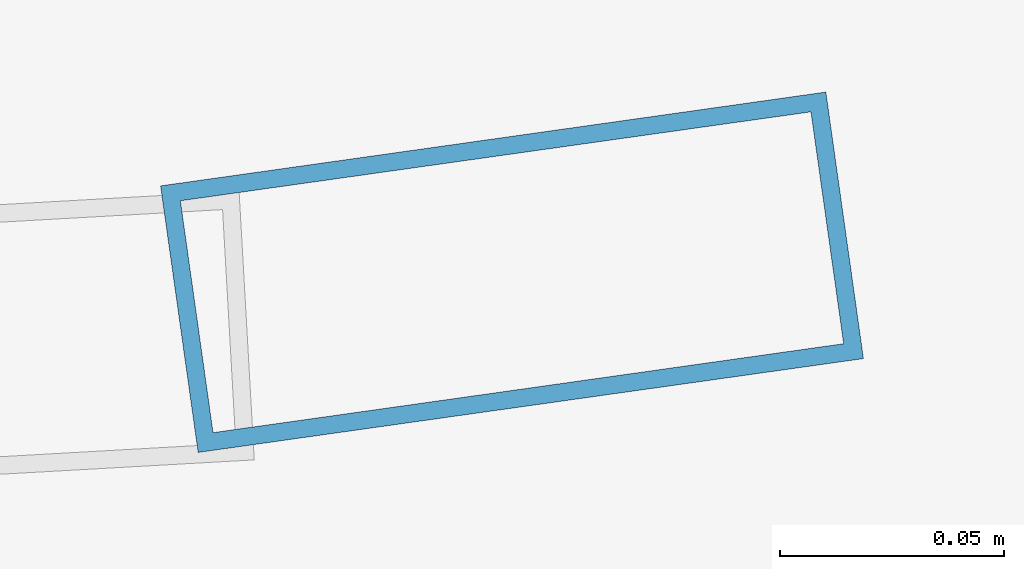
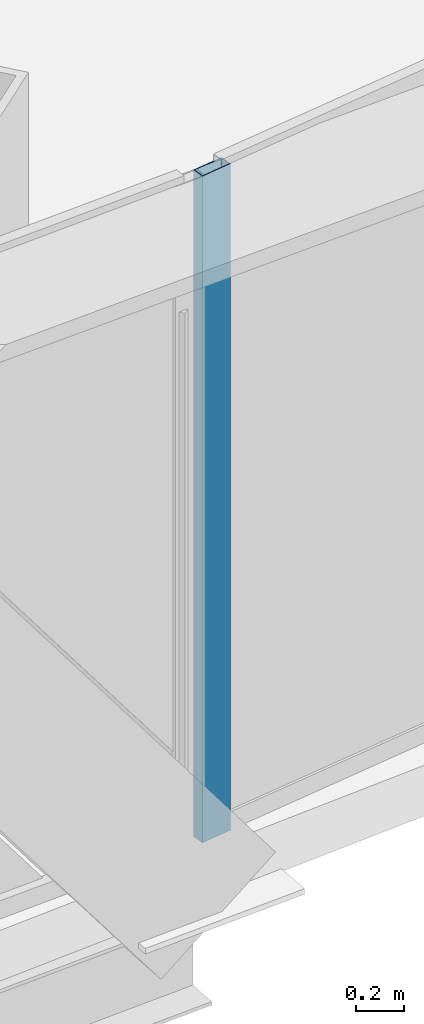
# One storey, part 16 of 40: 1 member, 1 element without a shape of its own.
"""IFC4 building model written with IfcOpenShell, lengths in metres."""

from ifc_helpers import new_model, si_unit, direction, frame, origin, origin_2d, place, context, subcontext, project, spatial, hollow_rectangle, extrude, source, transform, mapped, material, layer, layer_set, material_profile, profile_set, type_object, element, aggregate, save


model = new_model("IFC4")

# Units and contexts
model_context = context("Model", 3, precision=1e-05, world=origin(), true_north=direction((0.0, 1.0)))
body_context = subcontext(model_context, "Body", "Model", "MODEL_VIEW")
ifc_project = project(units=[si_unit("LENGTHUNIT", "METRE"), si_unit("AREAUNIT", "SQUARE_METRE"), si_unit("VOLUMEUNIT", "CUBIC_METRE"), si_unit("PLANEANGLEUNIT", "RADIAN"), si_unit("MASSUNIT", "GRAM", prefix="KILO"), si_unit("THERMODYNAMICTEMPERATUREUNIT", "KELVIN"), si_unit("POWERUNIT", "WATT")], contexts=[model_context])

# Site, building, storey
site_placement = place(None, origin())
site = spatial("IfcSite", under=ifc_project, at=site_placement, CompositionType="ELEMENT")
building_placement = place(site_placement, origin())
building = spatial("IfcBuilding", under=site, at=building_placement, Name="Yunzhuo Pagoda Commons", CompositionType="ELEMENT")
storey_placement = place(building_placement, frame((0.0, 0.0, 159.27001953125)))
storey = spatial("IfcBuildingStorey", under=building, at=storey_placement, Name="L40", CompositionType="ELEMENT", Elevation=159.27001953125)

# Curtain wall, member
ifc_material = material(Name="Anodized aluminium 6063-T6", Category="aluminium")
ifc_layer = layer(ifc_material, 0.14990234375)
ifc_layer_set = layer_set([ifc_layer], Name="Anodized aluminium 6063-T6")
curtain_wall_type = type_object("IfcCurtainWallType", Name="CW-MID Mid-Zone Ribbon Curtain Wall", PredefinedType="NOTDEFINED", material=ifc_layer_set)
curtain_wall_placement = place(storey_placement, origin())
curtain_wall = element("IfcCurtainWall", 1, at=curtain_wall_placement, inside=storey, type_object=curtain_wall_type, Name="L40 curtain wall CW-L40-F1B5", PredefinedType="NOTDEFINED")
ifc_material_profile = material_profile(ifc_material, hollow_rectangle(XDim=0.06005859375, YDim=0.14990234375, WallThickness=0.00390625, at=origin_2d()), Name="Anodized aluminium 6063-T6")
ifc_profile_set = profile_set([ifc_material_profile], Name="Anodized aluminium 6063-T6")
member_type = type_object("IfcMemberType", Name="CW-MID-M Mullion RHS 150x60x4", PredefinedType="MULLION", material=ifc_profile_set)
shared_shape = source(origin(), body_context, "Body", "SweptSolid", [
    extrude(hollow_rectangle(XDim=0.06005859375, YDim=0.14990234375, WallThickness=0.00390625, at=origin_2d()), origin(), (0.0, 0.0, 1.0), 3.419677734375),
])
member_placement = place(storey_placement, frame((64.576904296875, 14.083251953125, 0.000244140625), z_axis=(0.0, 0.0, 1.0), x_axis=(-0.13962976996, 0.990203780714, 0.0)))
member = element("IfcMember", 2, at=member_placement, type_object=member_type, Name="CW mullion 1", PredefinedType="MULLION", context=body_context, shape_type="MappedRepresentation", body=[
    mapped(shared_shape, transform((0.0, 0.0, 0.0), scale=1.0)),
])
aggregate(curtain_wall, [member])

save(model, "model.ifc")
